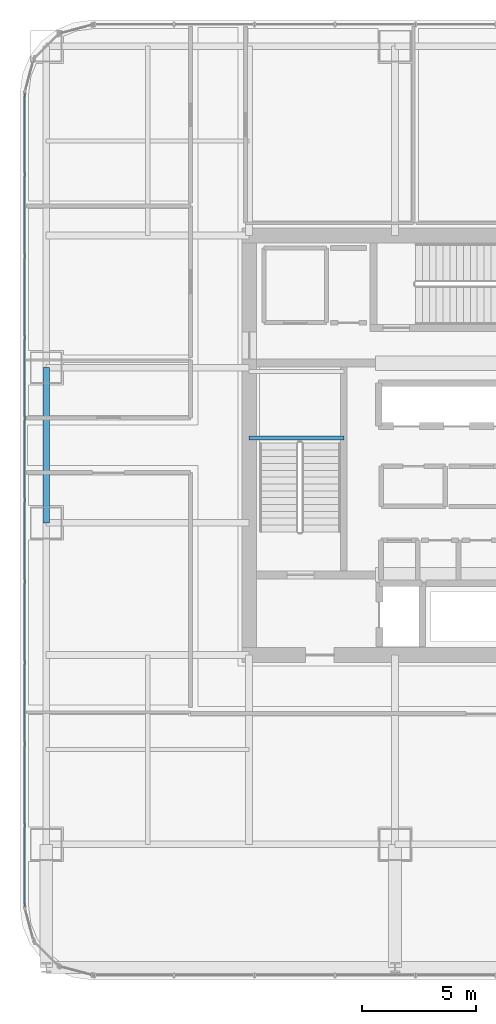
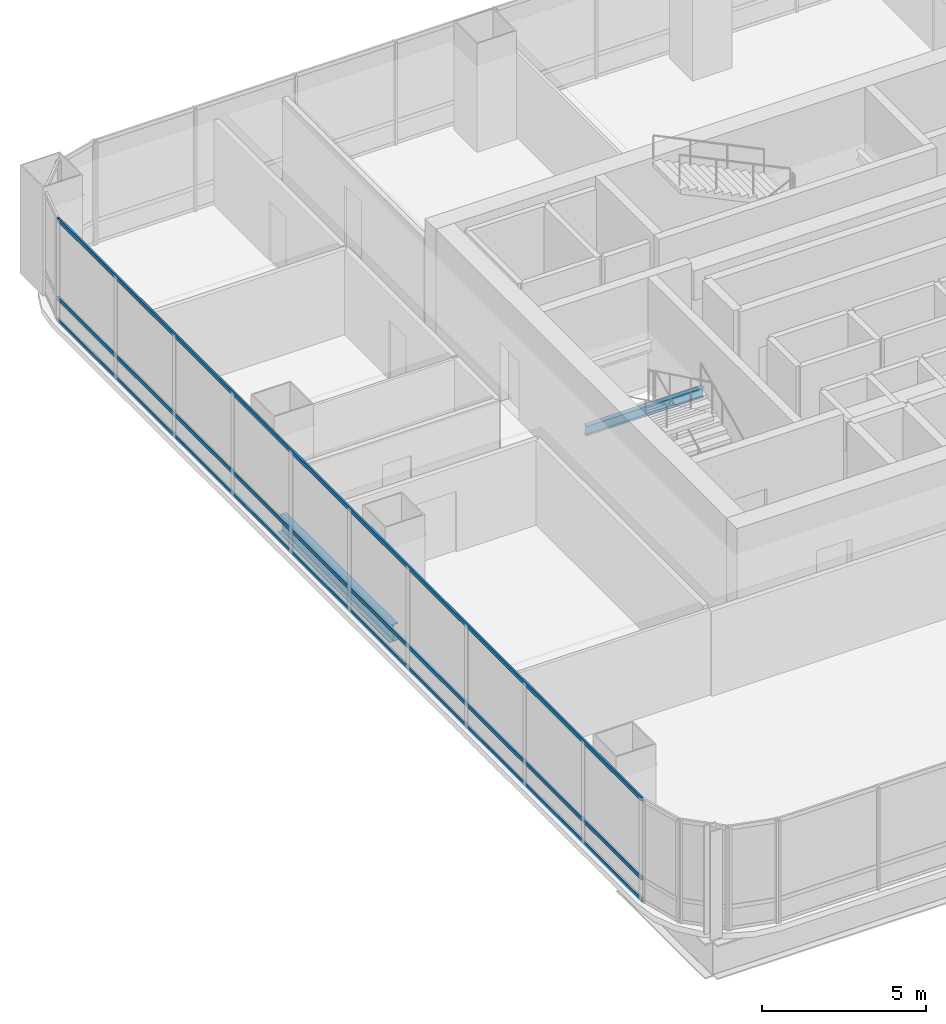
# One storey, part 10 of 36: 3 members, 2 beams, 1 element without a shape of its own.
"""IFC4 building model written with IfcOpenShell, lengths in metres."""

import ifcopenshell
import ifcopenshell.guid

model = None  # the IFC model being written
_history = None  # IfcOwnerHistory: only IFC2X3 demands one
_inside = {}  # id of a spatial element -> (the spatial element, [elements in it])
_under = {}  # id of a project, library or spatial element -> (it, [spatial elements below it])
_declared = {}  # id of a project -> (the project, [libraries it declares])
_typed = {}  # id of a type object -> (the type object, [elements of that type])
_made_of = {}  # id of a material, layer set ... -> (it, [elements and type objects made of it])


def new_model(schema):
    """Start an empty IFC model of exactly this schema.

    Asked for "IFC4X3", IfcOpenShell would pick the latest addendum, in which some entities
    have other attributes; the version numbers below select the first issue.
    IFC2X3 requires an IfcOwnerHistory on every rooted entity: one is made here for all.
    """
    global model, _history
    if schema == "IFC4X3":
        model = ifcopenshell.file(schema_version=(4, 3, 0, 0))
    else:
        model = ifcopenshell.file(schema=schema)
    _inside.clear()
    _under.clear()
    _declared.clear()
    _typed.clear()
    _made_of.clear()
    _history = None
    if model.schema == "IFC2X3":
        org = make("IfcOrganization", Name="unknown")
        user = make(
            "IfcPersonAndOrganization",
            ThePerson=make("IfcPerson", FamilyName="unknown"),
            TheOrganization=org,
        )
        app = make(
            "IfcApplication",
            ApplicationDeveloper=org,
            Version="unknown",
            ApplicationFullName="unknown",
            ApplicationIdentifier="unknown",
        )
        _history = make(
            "IfcOwnerHistory",
            OwningUser=user,
            OwningApplication=app,
            ChangeAction="ADDED",
            CreationDate=0,
        )
    return model


def make(cls, **values):
    """One entity of the class cls with the attributes given. An attribute that is None is left unset."""
    return model.create_entity(
        cls, **{name: value for name, value in values.items() if value is not None}
    )


def rooted(cls, **values):
    """An entity with a GlobalId (a new one), such as an element, a storey or a relation."""
    return make(cls, GlobalId=ifcopenshell.guid.new(), OwnerHistory=_history, **values)


def si_unit(unit_type, name, prefix=None):
    """IfcSIUnit, for example si_unit("LENGTHUNIT", "METRE", prefix="MILLI")."""
    return make("IfcSIUnit", UnitType=unit_type, Prefix=prefix, Name=name)


def assignment(units):
    """IfcUnitAssignment: the units of a project."""
    return None if units is None else make("IfcUnitAssignment", Units=units)


def point(xyz):
    """IfcCartesianPoint."""
    return None if xyz is None else make("IfcCartesianPoint", Coordinates=xyz)


def direction(xyz):
    """IfcDirection."""
    return None if xyz is None else make("IfcDirection", DirectionRatios=xyz)


def frame(location, z_axis=None, x_axis=None):
    """IfcAxis2Placement3D, a coordinate frame: its origin and axes. An axis left out is left unset."""
    return make(
        "IfcAxis2Placement3D",
        Location=point(location),
        Axis=direction(z_axis),
        RefDirection=direction(x_axis),
    )


def frame_2d(location, x_axis=None):
    """IfcAxis2Placement2D, a coordinate frame in the plane: its origin and x axis."""
    return make(
        "IfcAxis2Placement2D", Location=point(location), RefDirection=direction(x_axis)
    )


def origin():
    """The frame at (0, 0, 0) with its axes left unset."""
    return frame((0.0, 0.0, 0.0))


def origin_2d():
    """The frame at (0, 0) in the plane with its x axis left unset."""
    return frame_2d((0.0, 0.0))


def place(relative_to, where):
    """IfcLocalPlacement: puts the frame where relative to a parent placement (None: the world)."""
    return make(
        "IfcLocalPlacement", PlacementRelTo=relative_to, RelativePlacement=where
    )


def context(
    kind, dimensions, precision=None, world=None, true_north=None, identifier=None
):
    """IfcGeometricRepresentationContext, for example the 3D "Model" context."""
    return make(
        "IfcGeometricRepresentationContext",
        ContextIdentifier=identifier,
        ContextType=kind,
        CoordinateSpaceDimension=dimensions,
        Precision=precision,
        WorldCoordinateSystem=world,
        TrueNorth=true_north,
    )


def subcontext(parent, identifier, kind, view, scale=None):
    """IfcGeometricRepresentationSubContext, for example "Body" below "Model"."""
    return make(
        "IfcGeometricRepresentationSubContext",
        ContextIdentifier=identifier,
        ContextType=kind,
        ParentContext=parent,
        TargetScale=scale,
        TargetView=view,
    )


def project(units=None, contexts=None):
    """IfcProject with its units and contexts."""
    return rooted(
        "IfcProject",
        Name="project",
        RepresentationContexts=contexts,
        UnitsInContext=assignment(units),
    )


def spatial(cls, under=None, at=None, **own):
    """A site, building, storey or space (cls), placed at a placement, below another one or the project."""
    s = rooted(cls, ObjectPlacement=at, **own)
    if under is not None:
        _under.setdefault(under.id(), (under, []))[1].append(s)
    return s


def profile(cls, at=None, kind="AREA", **sizes):
    """A parametric profile (cls). Its sizes go by their IFC names, for example OverallWidth=200.0."""
    return make(cls, ProfileType=kind, Position=at, **sizes)


def hollow_rectangle(**sizes):
    """IfcRectangleHollowProfileDef."""
    return profile("IfcRectangleHollowProfileDef", **sizes)


def i_section(**sizes):
    """IfcIShapeProfileDef."""
    return profile("IfcIShapeProfileDef", **sizes)


def extrude(swept, where, along, depth):
    """IfcExtrudedAreaSolid: the profile swept, set in the frame where, extruded along a direction by depth."""
    return make(
        "IfcExtrudedAreaSolid",
        SweptArea=swept,
        Position=where,
        ExtrudedDirection=direction(along),
        Depth=depth,
    )


def shape(context_of_items, identifier, shape_type, items):
    """IfcShapeRepresentation: the items that make up one representation, for example the "Body"."""
    return make(
        "IfcShapeRepresentation",
        ContextOfItems=context_of_items,
        RepresentationIdentifier=identifier,
        RepresentationType=shape_type,
        Items=items,
    )


def material(Name=None, Category=None):
    """IfcMaterial."""
    return make("IfcMaterial", Name=Name, Category=Category)


def material_profile(
    of_material, cross_section, Name=None, Category=None, Priority=None
):
    """IfcMaterialProfile: a cross section and its material."""
    return make(
        "IfcMaterialProfile",
        Name=Name,
        Material=of_material,
        Profile=cross_section,
        Priority=Priority,
        Category=Category,
    )


def profile_set(profiles, Name=None, composite=None):
    """IfcMaterialProfileSet."""
    return make(
        "IfcMaterialProfileSet",
        Name=Name,
        MaterialProfiles=profiles,
        CompositeProfile=composite,
    )


def made_of(thing, what):
    """Note that an element or type object is made of a material, layer set ...; save() writes the relation."""
    if what is not None:
        _made_of.setdefault(what.id(), (what, []))[1].append(thing)
    return thing


def type_object(cls, material=None, **own):
    """A type object (cls), such as IfcWallType, which elements share."""
    return made_of(rooted(cls, **own), material)


def element(
    cls,
    number,
    at=None,
    inside=None,
    cuts=None,
    type_object=None,
    material=None,
    context=None,
    identifier="Body",
    shape_type=None,
    held_by="IfcProductDefinitionShape",
    body=None,
    shapes=None,
    **own,
):
    """One element of the class cls, such as IfcWall. Its Tag is "e" and its number.

    at: its placement. inside: the storey or other place that contains it. cuts: it is an
    opening in that element (IfcRelVoidsElement). A single representation is given by context,
    identifier, shape_type and body (its items); several are given by shapes. held_by: the class
    of the entity that holds the representations. save() writes the other relations.
    """
    e = rooted(cls, Tag="e%d" % number, ObjectPlacement=at, **own)
    if body is not None:
        shapes = [shape(context, identifier, shape_type, body)]
    if shapes is not None:
        e.Representation = make(held_by, Representations=shapes)
    if inside is not None:
        _inside.setdefault(inside.id(), (inside, []))[1].append(e)
    if cuts is not None:
        rooted(
            "IfcRelVoidsElement", RelatingBuildingElement=cuts, RelatedOpeningElement=e
        )
    if type_object is not None:
        _typed.setdefault(type_object.id(), (type_object, []))[1].append(e)
    return made_of(e, material)


def aggregate(whole, parts):
    """IfcRelAggregates: a whole, such as a stair, and the parts it consists of."""
    return rooted("IfcRelAggregates", RelatingObject=whole, RelatedObjects=parts)


def save(model, path):
    """Write the relations noted so far, then the file.

    IfcRelAggregates (storeys below a building ...), IfcRelContainedInSpatialStructure (elements
    in a storey), IfcRelDefinesByType, IfcRelAssociatesMaterial and IfcRelDeclares: one each for
    every whole, place, type object, material and project.
    """
    for whole, parts in _under.values():
        aggregate(whole, parts)
    for where, things in _inside.values():
        rooted(
            "IfcRelContainedInSpatialStructure",
            RelatedElements=things,
            RelatingStructure=where,
        )
    for kind, things in _typed.values():
        rooted("IfcRelDefinesByType", RelatedObjects=things, RelatingType=kind)
    for what, things in _made_of.values():
        rooted("IfcRelAssociatesMaterial", RelatedObjects=things, RelatingMaterial=what)
    for by, libraries in _declared.values():
        rooted("IfcRelDeclares", RelatingContext=by, RelatedDefinitions=libraries)
    model.write(path)


model = new_model("IFC4")

# Units and contexts
model_context = context("Model", 3, precision=1e-05, world=origin(), true_north=direction((0.0, 1.0)))
body_context = subcontext(model_context, "Body", "Model", "MODEL_VIEW")
ifc_project = project(units=[si_unit("LENGTHUNIT", "METRE"), si_unit("AREAUNIT", "SQUARE_METRE"), si_unit("VOLUMEUNIT", "CUBIC_METRE"), si_unit("PLANEANGLEUNIT", "RADIAN"), si_unit("MASSUNIT", "GRAM", prefix="KILO")], contexts=[model_context])

# Site, building, storey
site_placement = place(None, origin())
site = spatial("IfcSite", under=ifc_project, at=site_placement, CompositionType="ELEMENT")
building_placement = place(site_placement, origin())
building = spatial("IfcBuilding", under=site, at=building_placement, Name="Punatoya Terracotta Tower", CompositionType="ELEMENT")
storey_placement = place(building_placement, frame((0.0, 0.0, 212.699951171875)))
storey = spatial("IfcBuildingStorey", under=building, at=storey_placement, Name="L50", CompositionType="ELEMENT", Elevation=212.699951171875)

# Beams
ifc_material_1 = material(Name="Steel S355", Category="steel")
ifc_material_profile_1 = material_profile(ifc_material_1, i_section(OverallWidth=0.300048828125, OverallDepth=0.64990234375, WebThickness=0.01611328125, FlangeThickness=0.031005859375, FilletRadius=0.01806640625, at=origin_2d()))
ifc_profile_set_1 = profile_set([ifc_material_profile_1], Name="Steel S355")
beam_type_1 = type_object("IfcBeamType", Name="BM-PRI-650", PredefinedType="BEAM", material=ifc_profile_set_1)
beam_1_placement = place(storey_placement, frame((-19.10009765625, -3.39990234375, -0.544921875), z_axis=(0.0, 1.0, 0.0), x_axis=(-1.0, 0.0, 0.0)))
element("IfcBeam", 1, at=beam_1_placement, inside=storey, type_object=beam_type_1, Name="BM-L50-RG-W2", PredefinedType="BEAM", context=body_context, shape_type="SweptSolid", body=[
    extrude(i_section(OverallWidth=0.300048828125, OverallDepth=0.64990234375, WebThickness=0.01611328125, FlangeThickness=0.031005859375, FilletRadius=0.01806640625, at=origin_2d()), origin(), (0.0, 0.0, 1.0), 6.7998046875),
])
ifc_material_profile_2 = material_profile(ifc_material_1, i_section(OverallWidth=0.169921875, OverallDepth=0.360107421875, WebThickness=0.008056640625, FlangeThickness=0.0126953125, FilletRadius=0.01806640625, at=origin_2d()))
ifc_profile_set_2 = profile_set([ifc_material_profile_2], Name="Steel S355")
beam_type_2 = type_object("IfcBeamType", Name="BM-SEC-360", PredefinedType="JOIST", material=ifc_profile_set_2)
beam_2_placement = place(storey_placement, frame((-10.199951171875, 0.320068359375, 1.64501953125), z_axis=(1.0, 0.0, 0.0), x_axis=(0.0, 1.0, 0.0)))
element("IfcBeam", 2, at=beam_2_placement, inside=storey, type_object=beam_type_2, Name="BM-L50-ST-1-LD1A", PredefinedType="JOIST", context=body_context, shape_type="SweptSolid", body=[
    extrude(i_section(OverallWidth=0.169921875, OverallDepth=0.360107421875, WebThickness=0.008056640625, FlangeThickness=0.0126953125, FilletRadius=0.01806640625, at=origin_2d()), origin(), (0.0, 0.0, 1.0), 4.14990234375),
])

# Curtain wall, members
ifc_material_2 = material(Name="Aluminium 6063-T6 + Double Low-E Glass", Category="aluminium")
curtain_wall_type = type_object("IfcCurtainWallType", Name="CW-M2", PredefinedType="NOTDEFINED", material=ifc_material_2)
curtain_wall_placement = place(storey_placement, origin())
curtain_wall = element("IfcCurtainWall", 3, at=curtain_wall_placement, inside=storey, type_object=curtain_wall_type, Name="L50 Curtain Wall CW-L50-W13-1", PredefinedType="NOTDEFINED")
ifc_material_3 = material(Name="Aluminium 6063-T6", Category="aluminium")
ifc_material_profile_3 = material_profile(ifc_material_3, hollow_rectangle(XDim=0.068115234375, YDim=0.14990234375, WallThickness=0.00390625, at=origin_2d()))
ifc_profile_set_3 = profile_set([ifc_material_profile_3], Name="Aluminium 6063-T6")
member_type = type_object("IfcMemberType", Name="CW-TRN-TYP", PredefinedType="USERDEFINED", material=ifc_profile_set_3)
member_1_placement = place(storey_placement, frame((-20.050048828125, 15.43701171875, 0.0400390625), z_axis=(0.0, -1.0, 0.0), x_axis=(1.0, 0.0, 0.0)))
member_1 = element("IfcMember", 4, at=member_1_placement, type_object=member_type, Name="CW-L50-W13-1 Transom 1", ObjectType="TRANSOM", PredefinedType="USERDEFINED", context=body_context, shape_type="SweptSolid", body=[
    extrude(hollow_rectangle(XDim=0.068115234375, YDim=0.14990234375, WallThickness=0.00390625, at=origin_2d()), origin(), (0.0, 0.0, 1.0), 35.673828125),
])
member_2_placement = place(storey_placement, frame((-20.050048828125, 15.43701171875, 0.85009765625), z_axis=(0.0, -1.0, 0.0), x_axis=(1.0, 0.0, 0.0)))
member_2 = element("IfcMember", 5, at=member_2_placement, type_object=member_type, Name="CW-L50-W13-1 Transom 2", ObjectType="TRANSOM", PredefinedType="USERDEFINED", context=body_context, shape_type="SweptSolid", body=[
    extrude(hollow_rectangle(XDim=0.068115234375, YDim=0.14990234375, WallThickness=0.00390625, at=origin_2d()), origin(), (0.0, 0.0, 1.0), 35.673828125),
])
member_3_placement = place(storey_placement, frame((-20.050048828125, 15.43701171875, 3.7900390625), z_axis=(0.0, -1.0, 0.0), x_axis=(1.0, 0.0, 0.0)))
member_3 = element("IfcMember", 6, at=member_3_placement, type_object=member_type, Name="CW-L50-W13-1 Transom 3", ObjectType="TRANSOM", PredefinedType="USERDEFINED", context=body_context, shape_type="SweptSolid", body=[
    extrude(hollow_rectangle(XDim=0.068115234375, YDim=0.14990234375, WallThickness=0.00390625, at=origin_2d()), origin(), (0.0, 0.0, 1.0), 35.673828125),
])
aggregate(curtain_wall, [member_1, member_2, member_3])

save(model, "model.ifc")
